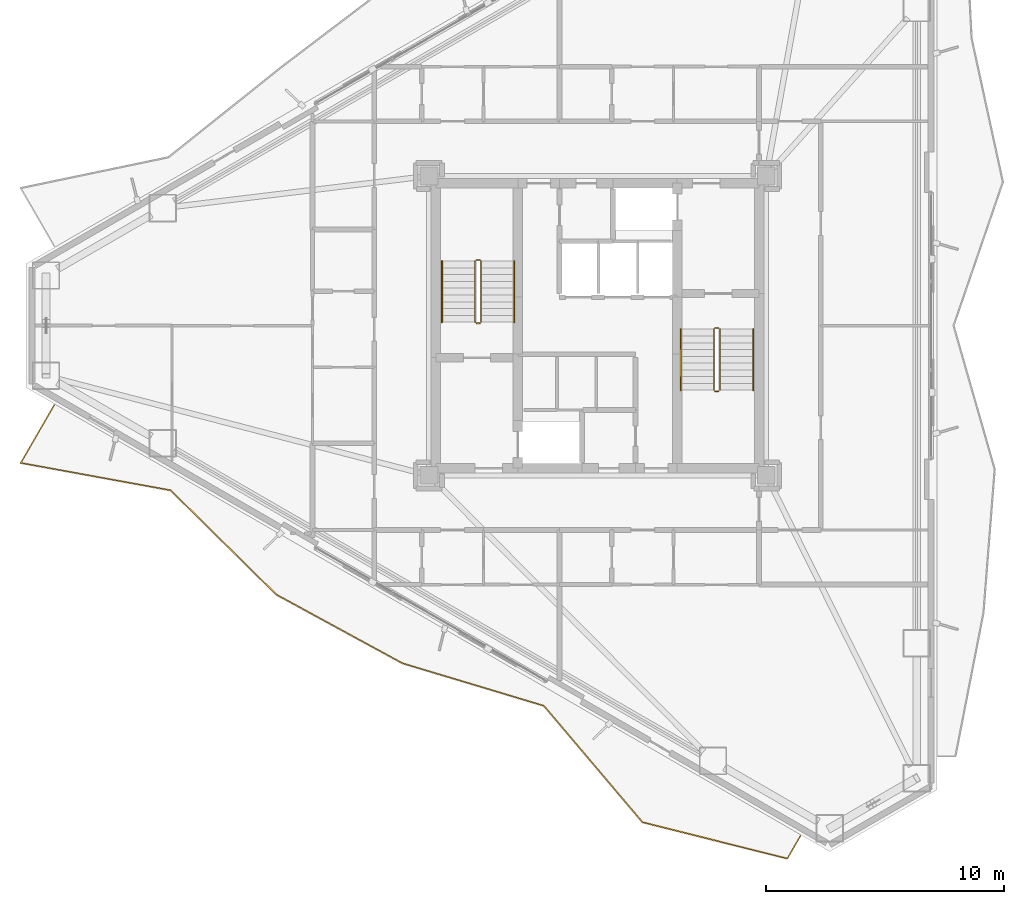
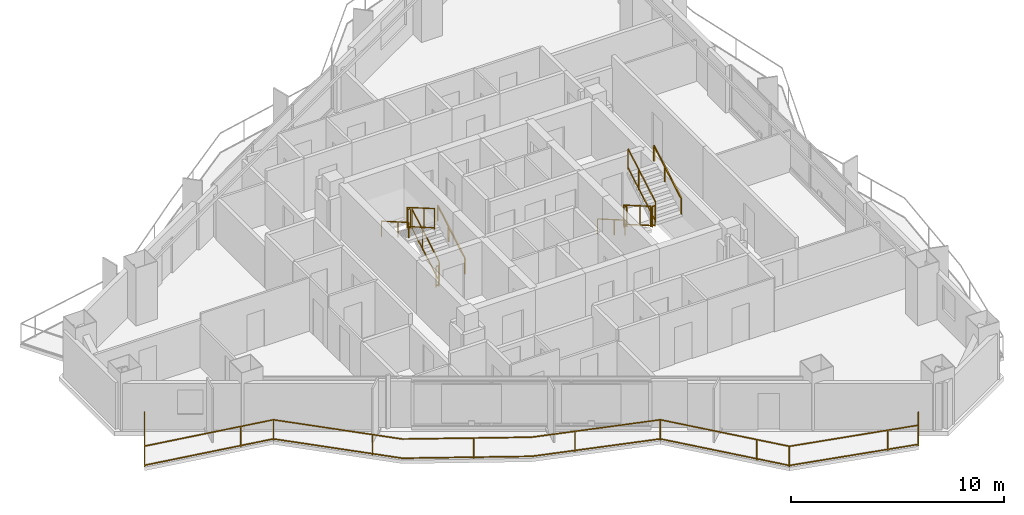
# One storey, part 22 of 23: 13 railings.
"""IFC4 building model written with IfcOpenShell, lengths in metres."""

import ifcopenshell
import ifcopenshell.guid

model = None  # the IFC model being written
_history = None  # IfcOwnerHistory: only IFC2X3 demands one
_inside = {}  # id of a spatial element -> (the spatial element, [elements in it])
_under = {}  # id of a project, library or spatial element -> (it, [spatial elements below it])
_declared = {}  # id of a project -> (the project, [libraries it declares])
_typed = {}  # id of a type object -> (the type object, [elements of that type])
_made_of = {}  # id of a material, layer set ... -> (it, [elements and type objects made of it])


def new_model(schema):
    """Start an empty IFC model of exactly this schema.

    Asked for "IFC4X3", IfcOpenShell would pick the latest addendum, in which some entities
    have other attributes; the version numbers below select the first issue.
    IFC2X3 requires an IfcOwnerHistory on every rooted entity: one is made here for all.
    """
    global model, _history
    if schema == "IFC4X3":
        model = ifcopenshell.file(schema_version=(4, 3, 0, 0))
    else:
        model = ifcopenshell.file(schema=schema)
    _inside.clear()
    _under.clear()
    _declared.clear()
    _typed.clear()
    _made_of.clear()
    _history = None
    if model.schema == "IFC2X3":
        org = make("IfcOrganization", Name="unknown")
        user = make(
            "IfcPersonAndOrganization",
            ThePerson=make("IfcPerson", FamilyName="unknown"),
            TheOrganization=org,
        )
        app = make(
            "IfcApplication",
            ApplicationDeveloper=org,
            Version="unknown",
            ApplicationFullName="unknown",
            ApplicationIdentifier="unknown",
        )
        _history = make(
            "IfcOwnerHistory",
            OwningUser=user,
            OwningApplication=app,
            ChangeAction="ADDED",
            CreationDate=0,
        )
    return model


def make(cls, **values):
    """One entity of the class cls with the attributes given. An attribute that is None is left unset."""
    return model.create_entity(
        cls, **{name: value for name, value in values.items() if value is not None}
    )


def rooted(cls, **values):
    """An entity with a GlobalId (a new one), such as an element, a storey or a relation."""
    return make(cls, GlobalId=ifcopenshell.guid.new(), OwnerHistory=_history, **values)


def si_unit(unit_type, name, prefix=None):
    """IfcSIUnit, for example si_unit("LENGTHUNIT", "METRE", prefix="MILLI")."""
    return make("IfcSIUnit", UnitType=unit_type, Prefix=prefix, Name=name)


def assignment(units):
    """IfcUnitAssignment: the units of a project."""
    return None if units is None else make("IfcUnitAssignment", Units=units)


def point(xyz):
    """IfcCartesianPoint."""
    return None if xyz is None else make("IfcCartesianPoint", Coordinates=xyz)


def direction(xyz):
    """IfcDirection."""
    return None if xyz is None else make("IfcDirection", DirectionRatios=xyz)


def frame(location, z_axis=None, x_axis=None):
    """IfcAxis2Placement3D, a coordinate frame: its origin and axes. An axis left out is left unset."""
    return make(
        "IfcAxis2Placement3D",
        Location=point(location),
        Axis=direction(z_axis),
        RefDirection=direction(x_axis),
    )


def frame_2d(location, x_axis=None):
    """IfcAxis2Placement2D, a coordinate frame in the plane: its origin and x axis."""
    return make(
        "IfcAxis2Placement2D", Location=point(location), RefDirection=direction(x_axis)
    )


def origin():
    """The frame at (0, 0, 0) with its axes left unset."""
    return frame((0.0, 0.0, 0.0))


def origin_2d():
    """The frame at (0, 0) in the plane with its x axis left unset."""
    return frame_2d((0.0, 0.0))


def place(relative_to, where):
    """IfcLocalPlacement: puts the frame where relative to a parent placement (None: the world)."""
    return make(
        "IfcLocalPlacement", PlacementRelTo=relative_to, RelativePlacement=where
    )


def context(
    kind, dimensions, precision=None, world=None, true_north=None, identifier=None
):
    """IfcGeometricRepresentationContext, for example the 3D "Model" context."""
    return make(
        "IfcGeometricRepresentationContext",
        ContextIdentifier=identifier,
        ContextType=kind,
        CoordinateSpaceDimension=dimensions,
        Precision=precision,
        WorldCoordinateSystem=world,
        TrueNorth=true_north,
    )


def subcontext(parent, identifier, kind, view, scale=None):
    """IfcGeometricRepresentationSubContext, for example "Body" below "Model"."""
    return make(
        "IfcGeometricRepresentationSubContext",
        ContextIdentifier=identifier,
        ContextType=kind,
        ParentContext=parent,
        TargetScale=scale,
        TargetView=view,
    )


def project(units=None, contexts=None):
    """IfcProject with its units and contexts."""
    return rooted(
        "IfcProject",
        Name="project",
        RepresentationContexts=contexts,
        UnitsInContext=assignment(units),
    )


def spatial(cls, under=None, at=None, **own):
    """A site, building, storey or space (cls), placed at a placement, below another one or the project."""
    s = rooted(cls, ObjectPlacement=at, **own)
    if under is not None:
        _under.setdefault(under.id(), (under, []))[1].append(s)
    return s


def profile(cls, at=None, kind="AREA", **sizes):
    """A parametric profile (cls). Its sizes go by their IFC names, for example OverallWidth=200.0."""
    return make(cls, ProfileType=kind, Position=at, **sizes)


def rectangle(**sizes):
    """IfcRectangleProfileDef."""
    return profile("IfcRectangleProfileDef", **sizes)


def extrude(swept, where, along, depth):
    """IfcExtrudedAreaSolid: the profile swept, set in the frame where, extruded along a direction by depth."""
    return make(
        "IfcExtrudedAreaSolid",
        SweptArea=swept,
        Position=where,
        ExtrudedDirection=direction(along),
        Depth=depth,
    )


def shape(context_of_items, identifier, shape_type, items):
    """IfcShapeRepresentation: the items that make up one representation, for example the "Body"."""
    return make(
        "IfcShapeRepresentation",
        ContextOfItems=context_of_items,
        RepresentationIdentifier=identifier,
        RepresentationType=shape_type,
        Items=items,
    )


def material(Name=None, Category=None):
    """IfcMaterial."""
    return make("IfcMaterial", Name=Name, Category=Category)


def made_of(thing, what):
    """Note that an element or type object is made of a material, layer set ...; save() writes the relation."""
    if what is not None:
        _made_of.setdefault(what.id(), (what, []))[1].append(thing)
    return thing


def type_object(cls, material=None, **own):
    """A type object (cls), such as IfcWallType, which elements share."""
    return made_of(rooted(cls, **own), material)


def element(
    cls,
    number,
    at=None,
    inside=None,
    cuts=None,
    type_object=None,
    material=None,
    context=None,
    identifier="Body",
    shape_type=None,
    held_by="IfcProductDefinitionShape",
    body=None,
    shapes=None,
    **own,
):
    """One element of the class cls, such as IfcWall. Its Tag is "e" and its number.

    at: its placement. inside: the storey or other place that contains it. cuts: it is an
    opening in that element (IfcRelVoidsElement). A single representation is given by context,
    identifier, shape_type and body (its items); several are given by shapes. held_by: the class
    of the entity that holds the representations. save() writes the other relations.
    """
    e = rooted(cls, Tag="e%d" % number, ObjectPlacement=at, **own)
    if body is not None:
        shapes = [shape(context, identifier, shape_type, body)]
    if shapes is not None:
        e.Representation = make(held_by, Representations=shapes)
    if inside is not None:
        _inside.setdefault(inside.id(), (inside, []))[1].append(e)
    if cuts is not None:
        rooted(
            "IfcRelVoidsElement", RelatingBuildingElement=cuts, RelatedOpeningElement=e
        )
    if type_object is not None:
        _typed.setdefault(type_object.id(), (type_object, []))[1].append(e)
    return made_of(e, material)


def aggregate(whole, parts):
    """IfcRelAggregates: a whole, such as a stair, and the parts it consists of."""
    return rooted("IfcRelAggregates", RelatingObject=whole, RelatedObjects=parts)


def save(model, path):
    """Write the relations noted so far, then the file.

    IfcRelAggregates (storeys below a building ...), IfcRelContainedInSpatialStructure (elements
    in a storey), IfcRelDefinesByType, IfcRelAssociatesMaterial and IfcRelDeclares: one each for
    every whole, place, type object, material and project.
    """
    for whole, parts in _under.values():
        aggregate(whole, parts)
    for where, things in _inside.values():
        rooted(
            "IfcRelContainedInSpatialStructure",
            RelatedElements=things,
            RelatingStructure=where,
        )
    for kind, things in _typed.values():
        rooted("IfcRelDefinesByType", RelatedObjects=things, RelatingType=kind)
    for what, things in _made_of.values():
        rooted("IfcRelAssociatesMaterial", RelatedObjects=things, RelatingMaterial=what)
    for by, libraries in _declared.values():
        rooted("IfcRelDeclares", RelatingContext=by, RelatedDefinitions=libraries)
    model.write(path)


model = new_model("IFC4")

# Units and contexts
model_context = context("Model", 3, precision=1e-05, world=origin(), true_north=direction((0.0, 1.0)))
body_context = subcontext(model_context, "Body", "Model", "MODEL_VIEW")
ifc_project = project(units=[si_unit("LENGTHUNIT", "METRE"), si_unit("AREAUNIT", "SQUARE_METRE"), si_unit("VOLUMEUNIT", "CUBIC_METRE"), si_unit("PLANEANGLEUNIT", "RADIAN"), si_unit("MASSUNIT", "GRAM", prefix="KILO")], contexts=[model_context])

# Site, building, storey
site_placement = place(None, origin())
site = spatial("IfcSite", under=ifc_project, at=site_placement, CompositionType="ELEMENT")
building_placement = place(site_placement, origin())
building = spatial("IfcBuilding", under=site, at=building_placement, Name="Mersakhor Tower and Convention Hall", CompositionType="ELEMENT")
storey_placement = place(building_placement, frame((0.0, 0.0, 96.60009765625)))
storey = spatial("IfcBuildingStorey", under=building, at=storey_placement, Name="L26", CompositionType="ELEMENT", Elevation=96.60009765625)

# Railings
ifc_material_1 = material(Name="Powder-coated galvanised steel and laminated glass balustrade", Category="steel")
railing_type_1 = type_object("IfcRailingType", Name="RL-BAL-1200", PredefinedType="BALUSTRADE", material=ifc_material_1)
railing_1_placement = place(storey_placement, frame((6.1240234375, 23.4052734375, 0.0)))
element("IfcRailing", 1, at=railing_1_placement, inside=storey, type_object=railing_type_1, Name="L26 Sinusoidal Balcony Balustrade F3", PredefinedType="BALUSTRADE", context=body_context, shape_type="SweptSolid", body=[
    extrude(rectangle(XDim=0.048095703125, YDim=0.048095703125, at=origin_2d()), frame((0.0, 0.0, 1.17578125), z_axis=(-0.49994577824, -0.866056706469, 0.0), x_axis=(0.866056706469, -0.49994577824, 0.0)), (0.0, 0.0, 1.0), 2.807373046875),
    extrude(rectangle(XDim=0.048095703125, YDim=0.048095703125, at=origin_2d()), frame((0.0, 0.0, 0.080078125), z_axis=(-0.49994577824, -0.866056706469, 0.0), x_axis=(0.866056706469, -0.49994577824, 0.0)), (0.0, 0.0, 1.0), 2.807373046875),
    extrude(rectangle(XDim=0.048095703125, YDim=0.048095703125, at=origin_2d()), frame((-1.403564453125, -2.431396484375, 1.17578125), z_axis=(0.983688076845, -0.179882649172, 0.0), x_axis=(0.179882649172, 0.983688076845, 0.0)), (0.0, 0.0, 1.0), 6.419677734375),
    extrude(rectangle(XDim=0.048095703125, YDim=0.048095703125, at=origin_2d()), frame((-1.403564453125, -2.431396484375, 0.080078125), z_axis=(0.983688076845, -0.179882649172, 0.0), x_axis=(0.179882649172, 0.983688076845, 0.0)), (0.0, 0.0, 1.0), 6.419677734375),
    extrude(rectangle(XDim=0.048095703125, YDim=0.048095703125, at=origin_2d()), frame((4.911376953125, -3.586181640625, 1.17578125), z_axis=(0.711760376873, -0.70242235579, 0.0), x_axis=(0.70242235579, 0.711760376873, 0.0)), (0.0, 0.0, 1.0), 6.24853515625),
    extrude(rectangle(XDim=0.048095703125, YDim=0.048095703125, at=origin_2d()), frame((4.911376953125, -3.586181640625, 0.080078125), z_axis=(0.711760376873, -0.70242235579, 0.0), x_axis=(0.70242235579, 0.711760376873, 0.0)), (0.0, 0.0, 1.0), 6.24853515625),
    extrude(rectangle(XDim=0.048095703125, YDim=0.048095703125, at=origin_2d()), frame((9.35888671875, -7.975341796875, 1.17578125), z_axis=(0.878233206426, -0.47823261613, 0.0), x_axis=(0.47823261613, 0.878233206426, 0.0)), (0.0, 0.0, 1.0), 6.0478515625),
    extrude(rectangle(XDim=0.048095703125, YDim=0.048095703125, at=origin_2d()), frame((9.35888671875, -7.975341796875, 0.080078125), z_axis=(0.878233206426, -0.47823261613, 0.0), x_axis=(0.47823261613, 0.878233206426, 0.0)), (0.0, 0.0, 1.0), 6.0478515625),
    extrude(rectangle(XDim=0.048095703125, YDim=0.048095703125, at=origin_2d()), frame((14.67041015625, -10.86767578125, 1.17578125), z_axis=(0.957693140627, -0.287791327868, 0.0), x_axis=(0.287791327868, 0.957693140627, 0.0)), (0.0, 0.0, 1.0), 6.21240234375),
    extrude(rectangle(XDim=0.048095703125, YDim=0.048095703125, at=origin_2d()), frame((14.67041015625, -10.86767578125, 0.080078125), z_axis=(0.957693140627, -0.287791327868, 0.0), x_axis=(0.287791327868, 0.957693140627, 0.0)), (0.0, 0.0, 1.0), 6.21240234375),
    extrude(rectangle(XDim=0.048095703125, YDim=0.048095703125, at=origin_2d()), frame((20.619873046875, -12.655517578125, 1.17578125), z_axis=(0.646213090612, -0.763157022848, 0.0), x_axis=(0.763157022848, 0.646213090612, 0.0)), (0.0, 0.0, 1.0), 6.423828125),
    extrude(rectangle(XDim=0.048095703125, YDim=0.048095703125, at=origin_2d()), frame((20.619873046875, -12.655517578125, 0.080078125), z_axis=(0.646213090612, -0.763157022848, 0.0), x_axis=(0.763157022848, 0.646213090612, 0.0)), (0.0, 0.0, 1.0), 6.423828125),
    extrude(rectangle(XDim=0.048095703125, YDim=0.048095703125, at=origin_2d()), frame((24.77099609375, -17.557861328125, 1.17578125), z_axis=(0.969970956632, -0.243220770679, 0.0), x_axis=(0.243220770679, 0.969970956632, 0.0)), (0.0, 0.0, 1.0), 6.28759765625),
    extrude(rectangle(XDim=0.048095703125, YDim=0.048095703125, at=origin_2d()), frame((24.77099609375, -17.557861328125, 0.080078125), z_axis=(0.969970956632, -0.243220770679, 0.0), x_axis=(0.243220770679, 0.969970956632, 0.0)), (0.0, 0.0, 1.0), 6.28759765625),
    extrude(rectangle(XDim=0.048095703125, YDim=0.048095703125, at=origin_2d()), frame((30.869873046875, -19.087158203125, 1.17578125), z_axis=(0.499831816372, 0.866122482875, 0.0), x_axis=(-0.866122482875, 0.499831816372, 0.0)), (0.0, 0.0, 1.0), 1.09521484375),
    extrude(rectangle(XDim=0.048095703125, YDim=0.048095703125, at=origin_2d()), frame((30.869873046875, -19.087158203125, 0.080078125), z_axis=(0.499831816372, 0.866122482875, 0.0), x_axis=(-0.866122482875, 0.499831816372, 0.0)), (0.0, 0.0, 1.0), 1.09521484375),
    extrude(rectangle(XDim=0.0419921875, YDim=0.0419921875, at=origin_2d()), origin(), (0.0, 0.0, 1.0), 1.15185546875),
    extrude(rectangle(XDim=0.0419921875, YDim=0.0419921875, at=origin_2d()), frame((-1.403564453125, -2.431396484375, 0.0)), (0.0, 0.0, 1.0), 1.15185546875),
    extrude(rectangle(XDim=0.0419921875, YDim=0.0419921875, at=origin_2d()), frame((3.318115234375, -3.294921875, 0.0)), (0.0, 0.0, 1.0), 1.15185546875),
    extrude(rectangle(XDim=0.0419921875, YDim=0.0419921875, at=origin_2d()), frame((4.911376953125, -3.586181640625, 0.0)), (0.0, 0.0, 1.0), 1.15185546875),
    extrude(rectangle(XDim=0.0419921875, YDim=0.0419921875, at=origin_2d()), frame((8.327880859375, -6.957763671875, 0.0)), (0.0, 0.0, 1.0), 1.15185546875),
    extrude(rectangle(XDim=0.0419921875, YDim=0.0419921875, at=origin_2d()), frame((12.30224609375, -9.578125, 0.0)), (0.0, 0.0, 1.0), 1.15185546875),
    extrude(rectangle(XDim=0.0419921875, YDim=0.0419921875, at=origin_2d()), frame((16.684814453125, -11.47314453125, 0.0)), (0.0, 0.0, 1.0), 1.15185546875),
    extrude(rectangle(XDim=0.0419921875, YDim=0.0419921875, at=origin_2d()), frame((20.619873046875, -12.655517578125, 0.0)), (0.0, 0.0, 1.0), 1.15185546875),
    extrude(rectangle(XDim=0.0419921875, YDim=0.0419921875, at=origin_2d()), frame((23.7216796875, -16.318603515625, 0.0)), (0.0, 0.0, 1.0), 1.15185546875),
    extrude(rectangle(XDim=0.0419921875, YDim=0.0419921875, at=origin_2d()), frame((24.77099609375, -17.557861328125, 0.0)), (0.0, 0.0, 1.0), 1.15185546875),
    extrude(rectangle(XDim=0.0419921875, YDim=0.0419921875, at=origin_2d()), frame((29.4267578125, -18.725341796875, 0.0)), (0.0, 0.0, 1.0), 1.15185546875),
    extrude(rectangle(XDim=0.0419921875, YDim=0.0419921875, at=origin_2d()), frame((30.869873046875, -19.087158203125, 0.0)), (0.0, 0.0, 1.0), 1.15185546875),
    extrude(rectangle(XDim=0.0419921875, YDim=0.0419921875, at=origin_2d()), frame((31.417236328125, -18.138671875, 0.0)), (0.0, 0.0, 1.0), 1.15185546875),
])
ifc_material_2 = material(Name="Brushed stainless steel handrail", Category="steel")
railing_type_2 = type_object("IfcRailingType", Name="RL-HR-900", PredefinedType="HANDRAIL", material=ifc_material_2)
railing_2_placement = place(storey_placement, frame((25.5, 26.89990234375, 0.164794921875)))
element("IfcRailing", 2, at=railing_2_placement, inside=storey, type_object=railing_type_2, Name="L26 ST-1 stair handrail 1", PredefinedType="HANDRAIL", context=body_context, shape_type="SweptSolid", body=[
    extrude(rectangle(XDim=0.048095703125, YDim=0.048095703125, at=origin_2d()), frame((0.0, 0.0, 0.8759765625), z_axis=(0.0, 0.865426285481, 0.501036270542), x_axis=(-1.0, 0.0, 0.0)), (0.0, 0.0, 1.0), 2.964111328125),
    extrude(rectangle(XDim=0.0419921875, YDim=0.0419921875, at=origin_2d()), origin(), (0.0, 0.0, 1.0), 0.851806640625),
    extrude(rectangle(XDim=0.0419921875, YDim=0.0419921875, at=origin_2d()), frame((0.0, 1.557861328125, 0.90185546875)), (0.0, 0.0, 1.0), 0.851806640625),
    extrude(rectangle(XDim=0.0419921875, YDim=0.0419921875, at=origin_2d()), frame((0.0, 2.565185546875, 1.485107421875)), (0.0, 0.0, 1.0), 0.851806640625),
])
railing_3_placement = place(storey_placement, frame((22.449951171875, 29.465087890625, 1.81494140625)))
element("IfcRailing", 3, at=railing_3_placement, inside=storey, type_object=railing_type_2, Name="L26 ST-1 stair handrail 2", PredefinedType="HANDRAIL", context=body_context, shape_type="SweptSolid", body=[
    extrude(rectangle(XDim=0.048095703125, YDim=0.048095703125, at=origin_2d()), frame((0.0, 0.0, 0.8759765625), z_axis=(0.0, -0.865461999751, 0.500974577186), x_axis=(1.0, 0.0, 0.0)), (0.0, 0.0, 1.0), 2.9638671875),
    extrude(rectangle(XDim=0.0419921875, YDim=0.0419921875, at=origin_2d()), origin(), (0.0, 0.0, 1.0), 0.851806640625),
    extrude(rectangle(XDim=0.0419921875, YDim=0.0419921875, at=origin_2d()), frame((0.0, -1.557861328125, 0.90185546875)), (0.0, 0.0, 1.0), 0.851806640625),
    extrude(rectangle(XDim=0.0419921875, YDim=0.0419921875, at=origin_2d()), frame((0.0, -2.565185546875, 1.48486328125)), (0.0, 0.0, 1.0), 0.851806640625),
])
railing_4_placement = place(storey_placement, frame((32.5, 26.60009765625, 0.164794921875)))
element("IfcRailing", 4, at=railing_4_placement, inside=storey, type_object=railing_type_2, Name="L26 ST-2 stair handrail 1", PredefinedType="HANDRAIL", context=body_context, shape_type="SweptSolid", body=[
    extrude(rectangle(XDim=0.048095703125, YDim=0.048095703125, at=origin_2d()), frame((0.0, 0.0, 0.8759765625), z_axis=(0.0, -0.865426285481, 0.501036270542), x_axis=(1.0, 0.0, 0.0)), (0.0, 0.0, 1.0), 2.964111328125),
    extrude(rectangle(XDim=0.0419921875, YDim=0.0419921875, at=origin_2d()), origin(), (0.0, 0.0, 1.0), 0.851806640625),
    extrude(rectangle(XDim=0.0419921875, YDim=0.0419921875, at=origin_2d()), frame((0.0, -1.557861328125, 0.90185546875)), (0.0, 0.0, 1.0), 0.851806640625),
    extrude(rectangle(XDim=0.0419921875, YDim=0.0419921875, at=origin_2d()), frame((0.0, -2.565185546875, 1.485107421875)), (0.0, 0.0, 1.0), 0.851806640625),
])
railing_5_placement = place(storey_placement, frame((35.550048828125, 24.034912109375, 1.81494140625)))
element("IfcRailing", 5, at=railing_5_placement, inside=storey, type_object=railing_type_2, Name="L26 ST-2 stair handrail 2", PredefinedType="HANDRAIL", context=body_context, shape_type="SweptSolid", body=[
    extrude(rectangle(XDim=0.048095703125, YDim=0.048095703125, at=origin_2d()), frame((0.0, 0.0, 0.8759765625), z_axis=(0.0, 0.865461999751, 0.500974577186), x_axis=(-1.0, 0.0, 0.0)), (0.0, 0.0, 1.0), 2.9638671875),
    extrude(rectangle(XDim=0.0419921875, YDim=0.0419921875, at=origin_2d()), origin(), (0.0, 0.0, 1.0), 0.851806640625),
    extrude(rectangle(XDim=0.0419921875, YDim=0.0419921875, at=origin_2d()), frame((0.0, 1.557861328125, 0.90185546875)), (0.0, 0.0, 1.0), 0.851806640625),
    extrude(rectangle(XDim=0.0419921875, YDim=0.0419921875, at=origin_2d()), frame((0.0, 2.565185546875, 1.48486328125)), (0.0, 0.0, 1.0), 0.851806640625),
])
ifc_material_3 = material(Name="Painted steel stair balustrade S355", Category="steel")
railing_type_3 = type_object("IfcRailingType", Name="RL-STG-1200", PredefinedType="BALUSTRADE", material=ifc_material_3)
railing_6_placement = place(storey_placement, frame((24.10009765625, 26.89990234375, 0.164794921875)))
element("IfcRailing", 6, at=railing_6_placement, inside=storey, type_object=railing_type_3, Name="L26 ST-1 stair guard 1", PredefinedType="BALUSTRADE", context=body_context, shape_type="SweptSolid", body=[
    extrude(rectangle(XDim=0.048095703125, YDim=0.048095703125, at=origin_2d()), frame((0.0, 0.0, 1.17578125), z_axis=(0.0, 0.865426285481, 0.501036270542), x_axis=(-1.0, 0.0, 0.0)), (0.0, 0.0, 1.0), 2.964111328125),
    extrude(rectangle(XDim=0.048095703125, YDim=0.048095703125, at=origin_2d()), frame((0.0, 0.0, 0.080078125), z_axis=(0.0, 0.865426285481, 0.501036270542), x_axis=(-1.0, 0.0, 0.0)), (0.0, 0.0, 1.0), 2.964111328125),
    extrude(rectangle(XDim=0.0419921875, YDim=0.0419921875, at=origin_2d()), origin(), (0.0, 0.0, 1.0), 1.15185546875),
    extrude(rectangle(XDim=0.0419921875, YDim=0.0419921875, at=origin_2d()), frame((0.0, 1.557861328125, 0.90185546875)), (0.0, 0.0, 1.0), 1.15185546875),
    extrude(rectangle(XDim=0.0419921875, YDim=0.0419921875, at=origin_2d()), frame((0.0, 2.565185546875, 1.485107421875)), (0.0, 0.0, 1.0), 1.15185546875),
])
railing_7_placement = place(storey_placement, frame((24.050048828125, 29.514892578125, 1.64990234375)))
element("IfcRailing", 7, at=railing_7_placement, inside=storey, type_object=railing_type_3, Name="L26 ST-1 stair guard 2", PredefinedType="BALUSTRADE", context=body_context, shape_type="SweptSolid", body=[
    extrude(rectangle(XDim=0.048095703125, YDim=0.048095703125, at=origin_2d()), frame((0.0, 0.0, 1.17578125), z_axis=(-1.0, 0.0, 0.0), x_axis=(0.0, -1.0, 0.0)), (0.0, 0.0, 1.0), 0.150146484375),
    extrude(rectangle(XDim=0.048095703125, YDim=0.048095703125, at=origin_2d()), frame((0.0, 0.0, 0.080078125), z_axis=(-1.0, 0.0, 0.0), x_axis=(0.0, -1.0, 0.0)), (0.0, 0.0, 1.0), 0.150146484375),
    extrude(rectangle(XDim=0.0419921875, YDim=0.0419921875, at=origin_2d()), origin(), (0.0, 0.0, 1.0), 1.15185546875),
    extrude(rectangle(XDim=0.0419921875, YDim=0.0419921875, at=origin_2d()), frame((-0.150146484375, 0.0, 0.0)), (0.0, 0.0, 1.0), 1.15185546875),
])
railing_8_placement = place(storey_placement, frame((23.85009765625, 29.465087890625, 1.81494140625)))
element("IfcRailing", 8, at=railing_8_placement, inside=storey, type_object=railing_type_3, Name="L26 ST-1 stair guard 3", PredefinedType="BALUSTRADE", context=body_context, shape_type="SweptSolid", body=[
    extrude(rectangle(XDim=0.048095703125, YDim=0.048095703125, at=origin_2d()), frame((0.0, 0.0, 1.17578125), z_axis=(0.0, -0.865461999751, 0.500974577186), x_axis=(1.0, 0.0, 0.0)), (0.0, 0.0, 1.0), 2.9638671875),
    extrude(rectangle(XDim=0.048095703125, YDim=0.048095703125, at=origin_2d()), frame((0.0, 0.0, 0.080078125), z_axis=(0.0, -0.865461999751, 0.500974577186), x_axis=(1.0, 0.0, 0.0)), (0.0, 0.0, 1.0), 2.9638671875),
    extrude(rectangle(XDim=0.0419921875, YDim=0.0419921875, at=origin_2d()), origin(), (0.0, 0.0, 1.0), 1.15185546875),
    extrude(rectangle(XDim=0.0419921875, YDim=0.0419921875, at=origin_2d()), frame((0.0, -1.557861328125, 0.90185546875)), (0.0, 0.0, 1.0), 1.15185546875),
    extrude(rectangle(XDim=0.0419921875, YDim=0.0419921875, at=origin_2d()), frame((0.0, -2.565185546875, 1.48486328125)), (0.0, 0.0, 1.0), 1.15185546875),
])
railing_9_placement = place(storey_placement, frame((24.050048828125, 26.85009765625, 0.0)))
element("IfcRailing", 9, at=railing_9_placement, inside=storey, type_object=railing_type_3, Name="L26 ST-1 stair guard 4", PredefinedType="BALUSTRADE", context=body_context, shape_type="SweptSolid", body=[
    extrude(rectangle(XDim=0.048095703125, YDim=0.048095703125, at=origin_2d()), frame((0.0, 0.0, 1.17578125), z_axis=(-1.0, 0.0, 0.0), x_axis=(0.0, -1.0, 0.0)), (0.0, 0.0, 1.0), 0.150146484375),
    extrude(rectangle(XDim=0.048095703125, YDim=0.048095703125, at=origin_2d()), frame((0.0, 0.0, 0.080078125), z_axis=(-1.0, 0.0, 0.0), x_axis=(0.0, -1.0, 0.0)), (0.0, 0.0, 1.0), 0.150146484375),
    extrude(rectangle(XDim=0.0419921875, YDim=0.0419921875, at=origin_2d()), origin(), (0.0, 0.0, 1.0), 1.15185546875),
    extrude(rectangle(XDim=0.0419921875, YDim=0.0419921875, at=origin_2d()), frame((-0.150146484375, 0.0, 0.0)), (0.0, 0.0, 1.0), 1.15185546875),
])
railing_10_placement = place(storey_placement, frame((33.89990234375, 26.60009765625, 0.164794921875)))
element("IfcRailing", 10, at=railing_10_placement, inside=storey, type_object=railing_type_3, Name="L26 ST-2 stair guard 1", PredefinedType="BALUSTRADE", context=body_context, shape_type="SweptSolid", body=[
    extrude(rectangle(XDim=0.048095703125, YDim=0.048095703125, at=origin_2d()), frame((0.0, 0.0, 1.17578125), z_axis=(0.0, -0.865426285481, 0.501036270542), x_axis=(1.0, 0.0, 0.0)), (0.0, 0.0, 1.0), 2.964111328125),
    extrude(rectangle(XDim=0.048095703125, YDim=0.048095703125, at=origin_2d()), frame((0.0, 0.0, 0.080078125), z_axis=(0.0, -0.865426285481, 0.501036270542), x_axis=(1.0, 0.0, 0.0)), (0.0, 0.0, 1.0), 2.964111328125),
    extrude(rectangle(XDim=0.0419921875, YDim=0.0419921875, at=origin_2d()), origin(), (0.0, 0.0, 1.0), 1.15185546875),
    extrude(rectangle(XDim=0.0419921875, YDim=0.0419921875, at=origin_2d()), frame((0.0, -1.557861328125, 0.90185546875)), (0.0, 0.0, 1.0), 1.15185546875),
    extrude(rectangle(XDim=0.0419921875, YDim=0.0419921875, at=origin_2d()), frame((0.0, -2.565185546875, 1.485107421875)), (0.0, 0.0, 1.0), 1.15185546875),
])
railing_11_placement = place(storey_placement, frame((33.949951171875, 23.985107421875, 1.64990234375)))
element("IfcRailing", 11, at=railing_11_placement, inside=storey, type_object=railing_type_3, Name="L26 ST-2 stair guard 2", PredefinedType="BALUSTRADE", context=body_context, shape_type="SweptSolid", body=[
    extrude(rectangle(XDim=0.048095703125, YDim=0.048095703125, at=origin_2d()), frame((0.0, 0.0, 1.17578125), z_axis=(1.0, 0.0, 0.0), x_axis=(0.0, 1.0, 0.0)), (0.0, 0.0, 1.0), 0.150146484375),
    extrude(rectangle(XDim=0.048095703125, YDim=0.048095703125, at=origin_2d()), frame((0.0, 0.0, 0.080078125), z_axis=(1.0, 0.0, 0.0), x_axis=(0.0, 1.0, 0.0)), (0.0, 0.0, 1.0), 0.150146484375),
    extrude(rectangle(XDim=0.0419921875, YDim=0.0419921875, at=origin_2d()), origin(), (0.0, 0.0, 1.0), 1.15185546875),
    extrude(rectangle(XDim=0.0419921875, YDim=0.0419921875, at=origin_2d()), frame((0.150146484375, 0.0, 0.0)), (0.0, 0.0, 1.0), 1.15185546875),
])
railing_12_placement = place(storey_placement, frame((34.14990234375, 24.034912109375, 1.81494140625)))
element("IfcRailing", 12, at=railing_12_placement, inside=storey, type_object=railing_type_3, Name="L26 ST-2 stair guard 3", PredefinedType="BALUSTRADE", context=body_context, shape_type="SweptSolid", body=[
    extrude(rectangle(XDim=0.048095703125, YDim=0.048095703125, at=origin_2d()), frame((0.0, 0.0, 1.17578125), z_axis=(0.0, 0.865461999751, 0.500974577186), x_axis=(-1.0, 0.0, 0.0)), (0.0, 0.0, 1.0), 2.9638671875),
    extrude(rectangle(XDim=0.048095703125, YDim=0.048095703125, at=origin_2d()), frame((0.0, 0.0, 0.080078125), z_axis=(0.0, 0.865461999751, 0.500974577186), x_axis=(-1.0, 0.0, 0.0)), (0.0, 0.0, 1.0), 2.9638671875),
    extrude(rectangle(XDim=0.0419921875, YDim=0.0419921875, at=origin_2d()), origin(), (0.0, 0.0, 1.0), 1.15185546875),
    extrude(rectangle(XDim=0.0419921875, YDim=0.0419921875, at=origin_2d()), frame((0.0, 1.557861328125, 0.90185546875)), (0.0, 0.0, 1.0), 1.15185546875),
    extrude(rectangle(XDim=0.0419921875, YDim=0.0419921875, at=origin_2d()), frame((0.0, 2.565185546875, 1.48486328125)), (0.0, 0.0, 1.0), 1.15185546875),
])
railing_13_placement = place(storey_placement, frame((33.949951171875, 26.64990234375, 0.0)))
element("IfcRailing", 13, at=railing_13_placement, inside=storey, type_object=railing_type_3, Name="L26 ST-2 stair guard 4", PredefinedType="BALUSTRADE", context=body_context, shape_type="SweptSolid", body=[
    extrude(rectangle(XDim=0.048095703125, YDim=0.048095703125, at=origin_2d()), frame((0.0, 0.0, 1.17578125), z_axis=(1.0, 0.0, 0.0), x_axis=(0.0, 1.0, 0.0)), (0.0, 0.0, 1.0), 0.150146484375),
    extrude(rectangle(XDim=0.048095703125, YDim=0.048095703125, at=origin_2d()), frame((0.0, 0.0, 0.080078125), z_axis=(1.0, 0.0, 0.0), x_axis=(0.0, 1.0, 0.0)), (0.0, 0.0, 1.0), 0.150146484375),
    extrude(rectangle(XDim=0.0419921875, YDim=0.0419921875, at=origin_2d()), origin(), (0.0, 0.0, 1.0), 1.15185546875),
    extrude(rectangle(XDim=0.0419921875, YDim=0.0419921875, at=origin_2d()), frame((0.150146484375, 0.0, 0.0)), (0.0, 0.0, 1.0), 1.15185546875),
])

save(model, "model.ifc")
